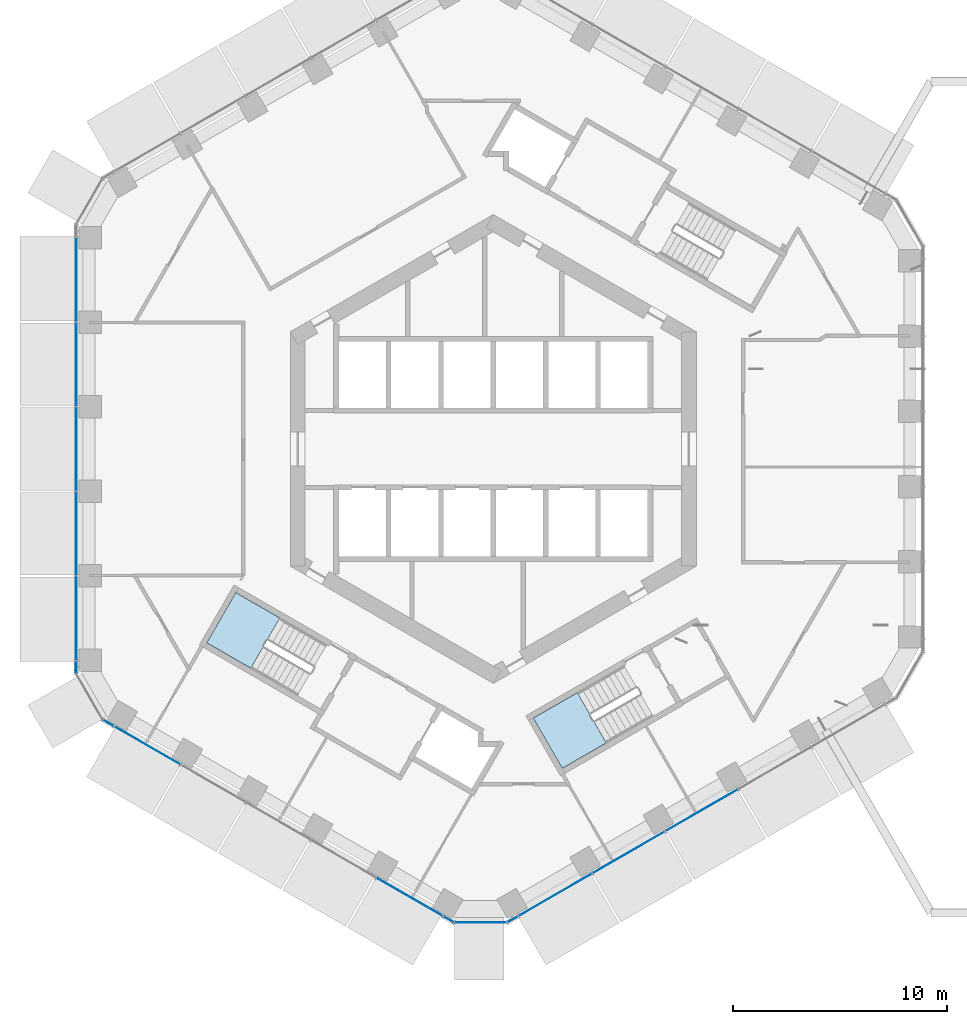
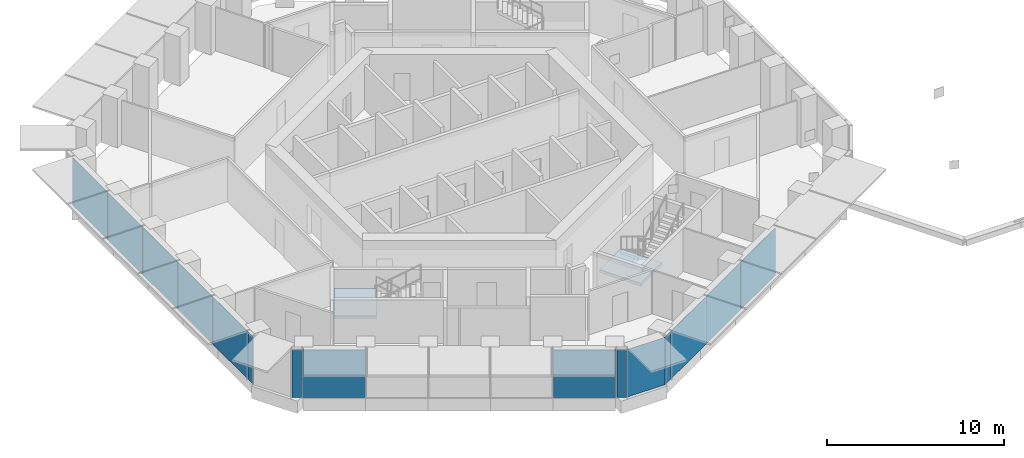
# One storey, part 9 of 21: 15 plates, 2 slabs, 7 elements without a shape of their own.
"""IFC4 building model written with IfcOpenShell, lengths in metres."""

import ifcopenshell
import ifcopenshell.guid

model = None  # the IFC model being written
_history = None  # IfcOwnerHistory: only IFC2X3 demands one
_inside = {}  # id of a spatial element -> (the spatial element, [elements in it])
_under = {}  # id of a project, library or spatial element -> (it, [spatial elements below it])
_declared = {}  # id of a project -> (the project, [libraries it declares])
_typed = {}  # id of a type object -> (the type object, [elements of that type])
_made_of = {}  # id of a material, layer set ... -> (it, [elements and type objects made of it])


def new_model(schema):
    """Start an empty IFC model of exactly this schema.

    Asked for "IFC4X3", IfcOpenShell would pick the latest addendum, in which some entities
    have other attributes; the version numbers below select the first issue.
    IFC2X3 requires an IfcOwnerHistory on every rooted entity: one is made here for all.
    """
    global model, _history
    if schema == "IFC4X3":
        model = ifcopenshell.file(schema_version=(4, 3, 0, 0))
    else:
        model = ifcopenshell.file(schema=schema)
    _inside.clear()
    _under.clear()
    _declared.clear()
    _typed.clear()
    _made_of.clear()
    _history = None
    if model.schema == "IFC2X3":
        org = make("IfcOrganization", Name="unknown")
        user = make(
            "IfcPersonAndOrganization",
            ThePerson=make("IfcPerson", FamilyName="unknown"),
            TheOrganization=org,
        )
        app = make(
            "IfcApplication",
            ApplicationDeveloper=org,
            Version="unknown",
            ApplicationFullName="unknown",
            ApplicationIdentifier="unknown",
        )
        _history = make(
            "IfcOwnerHistory",
            OwningUser=user,
            OwningApplication=app,
            ChangeAction="ADDED",
            CreationDate=0,
        )
    return model


def make(cls, **values):
    """One entity of the class cls with the attributes given. An attribute that is None is left unset."""
    return model.create_entity(
        cls, **{name: value for name, value in values.items() if value is not None}
    )


def rooted(cls, **values):
    """An entity with a GlobalId (a new one), such as an element, a storey or a relation."""
    return make(cls, GlobalId=ifcopenshell.guid.new(), OwnerHistory=_history, **values)


def si_unit(unit_type, name, prefix=None):
    """IfcSIUnit, for example si_unit("LENGTHUNIT", "METRE", prefix="MILLI")."""
    return make("IfcSIUnit", UnitType=unit_type, Prefix=prefix, Name=name)


def assignment(units):
    """IfcUnitAssignment: the units of a project."""
    return None if units is None else make("IfcUnitAssignment", Units=units)


def point(xyz):
    """IfcCartesianPoint."""
    return None if xyz is None else make("IfcCartesianPoint", Coordinates=xyz)


def direction(xyz):
    """IfcDirection."""
    return None if xyz is None else make("IfcDirection", DirectionRatios=xyz)


def frame(location, z_axis=None, x_axis=None):
    """IfcAxis2Placement3D, a coordinate frame: its origin and axes. An axis left out is left unset."""
    return make(
        "IfcAxis2Placement3D",
        Location=point(location),
        Axis=direction(z_axis),
        RefDirection=direction(x_axis),
    )


def frame_2d(location, x_axis=None):
    """IfcAxis2Placement2D, a coordinate frame in the plane: its origin and x axis."""
    return make(
        "IfcAxis2Placement2D", Location=point(location), RefDirection=direction(x_axis)
    )


def origin():
    """The frame at (0, 0, 0) with its axes left unset."""
    return frame((0.0, 0.0, 0.0))


def origin_2d():
    """The frame at (0, 0) in the plane with its x axis left unset."""
    return frame_2d((0.0, 0.0))


def place(relative_to, where):
    """IfcLocalPlacement: puts the frame where relative to a parent placement (None: the world)."""
    return make(
        "IfcLocalPlacement", PlacementRelTo=relative_to, RelativePlacement=where
    )


def context(
    kind, dimensions, precision=None, world=None, true_north=None, identifier=None
):
    """IfcGeometricRepresentationContext, for example the 3D "Model" context."""
    return make(
        "IfcGeometricRepresentationContext",
        ContextIdentifier=identifier,
        ContextType=kind,
        CoordinateSpaceDimension=dimensions,
        Precision=precision,
        WorldCoordinateSystem=world,
        TrueNorth=true_north,
    )


def subcontext(parent, identifier, kind, view, scale=None):
    """IfcGeometricRepresentationSubContext, for example "Body" below "Model"."""
    return make(
        "IfcGeometricRepresentationSubContext",
        ContextIdentifier=identifier,
        ContextType=kind,
        ParentContext=parent,
        TargetScale=scale,
        TargetView=view,
    )


def project(units=None, contexts=None):
    """IfcProject with its units and contexts."""
    return rooted(
        "IfcProject",
        Name="project",
        RepresentationContexts=contexts,
        UnitsInContext=assignment(units),
    )


def spatial(cls, under=None, at=None, **own):
    """A site, building, storey or space (cls), placed at a placement, below another one or the project."""
    s = rooted(cls, ObjectPlacement=at, **own)
    if under is not None:
        _under.setdefault(under.id(), (under, []))[1].append(s)
    return s


def polyline(points):
    """IfcPolyline through the points."""
    return make("IfcPolyline", Points=[point(p) for p in points])


def profile(cls, at=None, kind="AREA", **sizes):
    """A parametric profile (cls). Its sizes go by their IFC names, for example OverallWidth=200.0."""
    return make(cls, ProfileType=kind, Position=at, **sizes)


def rectangle(**sizes):
    """IfcRectangleProfileDef."""
    return profile("IfcRectangleProfileDef", **sizes)


def outline(outer, holes=None, kind="AREA"):
    """IfcArbitraryClosedProfileDef: a profile drawn as a closed curve; with holes, ...WithVoids."""
    if holes is None:
        return make("IfcArbitraryClosedProfileDef", ProfileType=kind, OuterCurve=outer)
    return make(
        "IfcArbitraryProfileDefWithVoids",
        ProfileType=kind,
        OuterCurve=outer,
        InnerCurves=holes,
    )


def extrude(swept, where, along, depth):
    """IfcExtrudedAreaSolid: the profile swept, set in the frame where, extruded along a direction by depth."""
    return make(
        "IfcExtrudedAreaSolid",
        SweptArea=swept,
        Position=where,
        ExtrudedDirection=direction(along),
        Depth=depth,
    )


def shape(context_of_items, identifier, shape_type, items):
    """IfcShapeRepresentation: the items that make up one representation, for example the "Body"."""
    return make(
        "IfcShapeRepresentation",
        ContextOfItems=context_of_items,
        RepresentationIdentifier=identifier,
        RepresentationType=shape_type,
        Items=items,
    )


def material(Name=None, Category=None):
    """IfcMaterial."""
    return make("IfcMaterial", Name=Name, Category=Category)


def layer(
    of_material, thickness, ventilated=None, Name=None, Category=None, Priority=None
):
    """IfcMaterialLayer: one layer of a wall or slab, of a material (None: an air gap)."""
    return make(
        "IfcMaterialLayer",
        Material=of_material,
        LayerThickness=thickness,
        IsVentilated=ventilated,
        Name=Name,
        Category=Category,
        Priority=Priority,
    )


def layer_set(layers, Name=None):
    """IfcMaterialLayerSet."""
    return make("IfcMaterialLayerSet", MaterialLayers=layers, LayerSetName=Name)


def made_of(thing, what):
    """Note that an element or type object is made of a material, layer set ...; save() writes the relation."""
    if what is not None:
        _made_of.setdefault(what.id(), (what, []))[1].append(thing)
    return thing


def type_object(cls, material=None, **own):
    """A type object (cls), such as IfcWallType, which elements share."""
    return made_of(rooted(cls, **own), material)


def element(
    cls,
    number,
    at=None,
    inside=None,
    cuts=None,
    type_object=None,
    material=None,
    context=None,
    identifier="Body",
    shape_type=None,
    held_by="IfcProductDefinitionShape",
    body=None,
    shapes=None,
    **own,
):
    """One element of the class cls, such as IfcWall. Its Tag is "e" and its number.

    at: its placement. inside: the storey or other place that contains it. cuts: it is an
    opening in that element (IfcRelVoidsElement). A single representation is given by context,
    identifier, shape_type and body (its items); several are given by shapes. held_by: the class
    of the entity that holds the representations. save() writes the other relations.
    """
    e = rooted(cls, Tag="e%d" % number, ObjectPlacement=at, **own)
    if body is not None:
        shapes = [shape(context, identifier, shape_type, body)]
    if shapes is not None:
        e.Representation = make(held_by, Representations=shapes)
    if inside is not None:
        _inside.setdefault(inside.id(), (inside, []))[1].append(e)
    if cuts is not None:
        rooted(
            "IfcRelVoidsElement", RelatingBuildingElement=cuts, RelatedOpeningElement=e
        )
    if type_object is not None:
        _typed.setdefault(type_object.id(), (type_object, []))[1].append(e)
    return made_of(e, material)


def aggregate(whole, parts):
    """IfcRelAggregates: a whole, such as a stair, and the parts it consists of."""
    return rooted("IfcRelAggregates", RelatingObject=whole, RelatedObjects=parts)


def save(model, path):
    """Write the relations noted so far, then the file.

    IfcRelAggregates (storeys below a building ...), IfcRelContainedInSpatialStructure (elements
    in a storey), IfcRelDefinesByType, IfcRelAssociatesMaterial and IfcRelDeclares: one each for
    every whole, place, type object, material and project.
    """
    for whole, parts in _under.values():
        aggregate(whole, parts)
    for where, things in _inside.values():
        rooted(
            "IfcRelContainedInSpatialStructure",
            RelatedElements=things,
            RelatingStructure=where,
        )
    for kind, things in _typed.values():
        rooted("IfcRelDefinesByType", RelatedObjects=things, RelatingType=kind)
    for what, things in _made_of.values():
        rooted("IfcRelAssociatesMaterial", RelatedObjects=things, RelatingMaterial=what)
    for by, libraries in _declared.values():
        rooted("IfcRelDeclares", RelatingContext=by, RelatedDefinitions=libraries)
    model.write(path)


model = new_model("IFC4")

# Units and contexts
model_context = context("Model", 3, precision=1e-05, world=origin(), true_north=direction((0.0, 1.0)))
body_context = subcontext(model_context, "Body", "Model", "MODEL_VIEW")
ifc_project = project(units=[si_unit("LENGTHUNIT", "METRE"), si_unit("AREAUNIT", "SQUARE_METRE"), si_unit("VOLUMEUNIT", "CUBIC_METRE"), si_unit("PLANEANGLEUNIT", "RADIAN"), si_unit("MASSUNIT", "GRAM", prefix="KILO")], contexts=[model_context])

# Site, building, storey
site_placement = place(None, origin())
site = spatial("IfcSite", under=ifc_project, at=site_placement, CompositionType="ELEMENT")
building_placement = place(site_placement, origin())
building = spatial("IfcBuilding", under=site, at=building_placement, Name="Ayvan Gate Tower", CompositionType="ELEMENT")
storey_placement = place(building_placement, frame((0.0, 0.0, 117.10009765625)))
storey = spatial("IfcBuildingStorey", under=building, at=storey_placement, Name="L31", CompositionType="ELEMENT", Elevation=117.10009765625)

# Stair, slab
ifc_material_1 = material(Name="Concrete C40/50", Category="concrete")
stair_type = type_object("IfcStairType", Name="ST-EXIT", PredefinedType="HALF_TURN_STAIR", material=ifc_material_1)
stair_1_placement = place(storey_placement, origin())
stair_1 = element("IfcStair", 1, at=stair_1_placement, inside=storey, type_object=stair_type, Name="L31 Exit Stair S2", PredefinedType="HALF_TURN_STAIR")
ifc_layer_1 = layer(ifc_material_1, 0.199951171875)
ifc_layer_set_1 = layer_set([ifc_layer_1], Name="Concrete C40/50")
slab_type = type_object("IfcSlabType", Name="SL-LANDING-200", PredefinedType="LANDING", material=ifc_layer_set_1)
slab_1_placement = place(storey_placement, frame((0.0, 0.0, 1.5)))
slab_1 = element("IfcSlab", 2, at=slab_1_placement, type_object=slab_type, Name="STS2 landing 1", PredefinedType="LANDING", context=body_context, shape_type="SweptSolid", body=[
    extrude(outline(polyline([(-9.988525390625, -7.91064453125), (-12.049560546875, -6.720458984375), (-13.404541015625, -9.0673828125), (-11.343505859375, -10.257568359375), (-9.988525390625, -7.91064453125)])), origin(), (0.0, 0.0, 1.0), 0.199951171875),
])
aggregate(stair_1, [slab_1])

stair_2_placement = place(storey_placement, origin())
stair_2 = element("IfcStair", 3, at=stair_2_placement, inside=storey, type_object=stair_type, Name="L31 Exit Stair S3", PredefinedType="HALF_TURN_STAIR")
slab_2_placement = place(storey_placement, frame((0.0, 0.0, 1.5)))
slab_2 = element("IfcSlab", 4, at=slab_2_placement, type_object=slab_type, Name="STS3 landing 1", PredefinedType="LANDING", context=body_context, shape_type="SweptSolid", body=[
    extrude(outline(polyline([(3.93505859375, -11.405517578125), (1.873779296875, -12.595458984375), (3.228759765625, -14.9423828125), (5.2900390625, -13.75244140625), (3.93505859375, -11.405517578125)])), origin(), (0.0, 0.0, 1.0), 0.199951171875),
])
aggregate(stair_2, [slab_2])

# Curtain wall, plates
ifc_material_2 = material(Name="Bronze anodised aluminium", Category="aluminium")
ifc_layer_2 = layer(ifc_material_2, 0.199951171875)
ifc_layer_set_2 = layer_set([ifc_layer_2], Name="Bronze anodised aluminium")
curtain_wall_type_1 = type_object("IfcCurtainWallType", Name="Stick curtain wall CW-1", PredefinedType="NOTDEFINED", material=ifc_layer_set_2)
curtain_wall_1_placement = place(storey_placement, origin())
curtain_wall_1 = element("IfcCurtainWall", 5, at=curtain_wall_1_placement, inside=storey, type_object=curtain_wall_type_1, Name="Stick curtain wall CW-1 L31", PredefinedType="NOTDEFINED")
ifc_material_3 = material(Name="Clear low-iron laminated glass", Category="glass")
ifc_layer_3 = layer(ifc_material_3, 0.028076171875)
ifc_layer_set_3 = layer_set([ifc_layer_3], Name="Clear low-iron laminated glass")
plate_type_1 = type_object("IfcPlateType", Name="Stick curtain wall CW-1 glass panel", PredefinedType="CURTAIN_PANEL", material=ifc_layer_set_3)
plate_1_placement = place(storey_placement, frame((-19.51708984375, 7.934814453125, 0.0), z_axis=(0.0, 0.0, 1.0), x_axis=(0.0, -1.0, 0.0)))
plate_1 = element("IfcPlate", 6, at=plate_1_placement, type_object=plate_type_1, Name="CW-1 glass panel 1", PredefinedType="CURTAIN_PANEL", context=body_context, shape_type="SweptSolid", body=[
    extrude(rectangle(XDim=3.9560546875, YDim=0.028076171875, at=origin_2d()), origin(), (0.0, 0.0, 1.0), 3.280029296875),
])
plate_2_placement = place(storey_placement, frame((-19.51708984375, 3.951416015625, 0.0), z_axis=(0.0, 0.0, 1.0), x_axis=(0.0, -1.0, 0.0)))
plate_2 = element("IfcPlate", 7, at=plate_2_placement, type_object=plate_type_1, Name="CW-1 glass panel 2", PredefinedType="CURTAIN_PANEL", context=body_context, shape_type="SweptSolid", body=[
    extrude(rectangle(XDim=3.89111328125, YDim=0.028076171875, at=origin_2d()), origin(), (0.0, 0.0, 1.0), 3.280029296875),
])
plate_3_placement = place(storey_placement, frame((-19.51708984375, 0.00048828125, 0.0), z_axis=(0.0, 0.0, 1.0), x_axis=(0.0, -1.0, 0.0)))
plate_3 = element("IfcPlate", 8, at=plate_3_placement, type_object=plate_type_1, Name="CW-1 glass panel 3", PredefinedType="CURTAIN_PANEL", context=body_context, shape_type="SweptSolid", body=[
    extrude(rectangle(XDim=3.89111328125, YDim=0.028076171875, at=origin_2d()), origin(), (0.0, 0.0, 1.0), 3.280029296875),
])
plate_4_placement = place(storey_placement, frame((-19.51708984375, -3.951171875, 0.0), z_axis=(0.0, 0.0, 1.0), x_axis=(0.0, -1.0, 0.0)))
plate_4 = element("IfcPlate", 9, at=plate_4_placement, type_object=plate_type_1, Name="CW-1 glass panel 4", PredefinedType="CURTAIN_PANEL", context=body_context, shape_type="SweptSolid", body=[
    extrude(rectangle(XDim=3.89208984375, YDim=0.028076171875, at=origin_2d()), origin(), (0.0, 0.0, 1.0), 3.280029296875),
])
plate_5_placement = place(storey_placement, frame((-19.51708984375, -7.93505859375, 0.0), z_axis=(0.0, 0.0, 1.0), x_axis=(0.0, -1.0, 0.0)))
plate_5 = element("IfcPlate", 10, at=plate_5_placement, type_object=plate_type_1, Name="CW-1 glass panel 5", PredefinedType="CURTAIN_PANEL", context=body_context, shape_type="SweptSolid", body=[
    extrude(rectangle(XDim=3.955810546875, YDim=0.028076171875, at=origin_2d()), origin(), (0.0, 0.0, 1.0), 3.280029296875),
])
aggregate(curtain_wall_1, [plate_1, plate_2, plate_3, plate_4, plate_5])

curtain_wall_2_placement = place(storey_placement, origin())
curtain_wall_2 = element("IfcCurtainWall", 11, at=curtain_wall_2_placement, inside=storey, type_object=curtain_wall_type_1, Name="Stick curtain wall CW-1 L31", PredefinedType="NOTDEFINED")
plate_6_placement = place(storey_placement, frame((-16.201416015625, -13.86767578125, 0.0), z_axis=(0.0, 0.0, 1.0), x_axis=(0.866025403784, -0.5, 0.0)))
plate_6 = element("IfcPlate", 12, at=plate_6_placement, type_object=plate_type_1, Name="CW-1 glass panel 1", PredefinedType="CURTAIN_PANEL", context=body_context, shape_type="SweptSolid", body=[
    extrude(rectangle(XDim=3.575927734375, YDim=0.028076171875, at=origin_2d()), origin(), (0.0, 0.0, 1.0), 3.280029296875),
])
plate_7_placement = place(storey_placement, frame((-3.9091796875, -20.96484375, 0.0), z_axis=(0.0, 0.0, 1.0), x_axis=(0.866025403784, -0.5, 0.0)))
plate_7 = element("IfcPlate", 13, at=plate_7_placement, type_object=plate_type_1, Name="CW-1 glass panel 5", PredefinedType="CURTAIN_PANEL", context=body_context, shape_type="SweptSolid", body=[
    extrude(rectangle(XDim=3.575927734375, YDim=0.028076171875, at=origin_2d()), origin(), (0.0, 0.0, 1.0), 3.280029296875),
])
aggregate(curtain_wall_2, [plate_6, plate_7])

curtain_wall_3_placement = place(storey_placement, origin())
curtain_wall_3 = element("IfcCurtainWall", 14, at=curtain_wall_3_placement, inside=storey, type_object=curtain_wall_type_1, Name="Stick curtain wall CW-1 L31", PredefinedType="NOTDEFINED")
plate_8_placement = place(storey_placement, frame((2.88671875, -20.86962890625, 0.0), z_axis=(0.0, 0.0, 1.0), x_axis=(0.866025403784, 0.5, 0.0)))
plate_8 = element("IfcPlate", 15, at=plate_8_placement, type_object=plate_type_1, Name="CW-1 glass panel 1", PredefinedType="CURTAIN_PANEL", context=body_context, shape_type="SweptSolid", body=[
    extrude(rectangle(XDim=3.9560546875, YDim=0.028076171875, at=origin_2d()), origin(), (0.0, 0.0, 1.0), 3.280029296875),
])
plate_9_placement = place(storey_placement, frame((6.336669921875, -18.8779296875, 0.0), z_axis=(0.0, 0.0, 1.0), x_axis=(0.866025403784, 0.5, 0.0)))
plate_9 = element("IfcPlate", 16, at=plate_9_placement, type_object=plate_type_1, Name="CW-1 glass panel 2", PredefinedType="CURTAIN_PANEL", context=body_context, shape_type="SweptSolid", body=[
    extrude(rectangle(XDim=3.89111328125, YDim=0.028076171875, at=origin_2d()), origin(), (0.0, 0.0, 1.0), 3.280029296875),
])
plate_10_placement = place(storey_placement, frame((9.75830078125, -16.902587890625, 0.0), z_axis=(0.0, 0.0, 1.0), x_axis=(0.866025403784, 0.5, 0.0)))
plate_10 = element("IfcPlate", 17, at=plate_10_placement, type_object=plate_type_1, Name="CW-1 glass panel 3", PredefinedType="CURTAIN_PANEL", context=body_context, shape_type="SweptSolid", body=[
    extrude(rectangle(XDim=3.89111328125, YDim=0.028076171875, at=origin_2d()), origin(), (0.0, 0.0, 1.0), 3.280029296875),
])
aggregate(curtain_wall_3, [plate_8, plate_9, plate_10])

ifc_layer_4 = layer(ifc_material_2, 0.199951171875)
ifc_layer_set_4 = layer_set([ifc_layer_4], Name="Bronze anodised aluminium")
curtain_wall_type_2 = type_object("IfcCurtainWallType", Name="Stick curtain wall CW-6", PredefinedType="NOTDEFINED", material=ifc_layer_set_4)
curtain_wall_4_placement = place(storey_placement, origin())
curtain_wall_4 = element("IfcCurtainWall", 18, at=curtain_wall_4_placement, inside=storey, type_object=curtain_wall_type_2, Name="Stick curtain wall CW-6 L31", PredefinedType="NOTDEFINED")
ifc_layer_5 = layer(ifc_material_3, 0.028076171875)
ifc_layer_set_5 = layer_set([ifc_layer_5], Name="Clear low-iron laminated glass")
plate_type_2 = type_object("IfcPlateType", Name="Stick curtain wall CW-6 glass panel", PredefinedType="CURTAIN_PANEL", material=ifc_layer_set_5)
plate_11_placement = place(storey_placement, frame((-19.51708984375, -10.2177734375, 0.0), z_axis=(0.0, 0.0, 1.0), x_axis=(0.0, -1.0, 0.0)))
plate_11 = element("IfcPlate", 19, at=plate_11_placement, type_object=plate_type_2, Name="CW-6 glass panel 1", PredefinedType="CURTAIN_PANEL", context=body_context, shape_type="SweptSolid", body=[
    extrude(rectangle(XDim=0.550048828125, YDim=0.028076171875, at=origin_2d()), origin(), (0.0, 0.0, 1.0), 3.280029296875),
])
plate_12_placement = place(storey_placement, frame((-18.013916015625, -12.8212890625, 0.0), z_axis=(0.0, 0.0, 1.0), x_axis=(0.866025403784, -0.5, 0.0)))
plate_12 = element("IfcPlate", 20, at=plate_12_placement, type_object=plate_type_2, Name="CW-6 glass panel 3", PredefinedType="CURTAIN_PANEL", context=body_context, shape_type="SweptSolid", body=[
    extrude(rectangle(XDim=0.550048828125, YDim=0.028076171875, at=origin_2d()), origin(), (0.0, 0.0, 1.0), 3.280029296875),
])
aggregate(curtain_wall_4, [plate_11, plate_12])

curtain_wall_5_placement = place(storey_placement, origin())
curtain_wall_5 = element("IfcCurtainWall", 21, at=curtain_wall_5_placement, inside=storey, type_object=curtain_wall_type_2, Name="Stick curtain wall CW-6 L31", PredefinedType="NOTDEFINED")
plate_13_placement = place(storey_placement, frame((-2.096435546875, -22.01123046875, 0.0), z_axis=(0.0, 0.0, 1.0), x_axis=(0.866025403784, -0.5, 0.0)))
plate_13 = element("IfcPlate", 22, at=plate_13_placement, type_object=plate_type_2, Name="CW-6 glass panel 1", PredefinedType="CURTAIN_PANEL", context=body_context, shape_type="SweptSolid", body=[
    extrude(rectangle(XDim=0.550048828125, YDim=0.028076171875, at=origin_2d()), origin(), (0.0, 0.0, 1.0), 3.280029296875),
])
plate_14_placement = place(storey_placement, frame((-0.593505859375, -22.1611328125, 0.0), z_axis=(0.0, 0.0, 1.0), x_axis=(1.0, 0.0, 0.0)))
plate_14 = element("IfcPlate", 23, at=plate_14_placement, type_object=plate_type_2, Name="CW-6 glass panel 2", PredefinedType="CURTAIN_PANEL", context=body_context, shape_type="SweptSolid", body=[
    extrude(rectangle(XDim=2.4365234375, YDim=0.028076171875, at=origin_2d()), origin(), (0.0, 0.0, 1.0), 3.280029296875),
])
plate_15_placement = place(storey_placement, frame((0.90966796875, -22.01123046875, 0.0), z_axis=(0.0, 0.0, 1.0), x_axis=(0.866025403784, 0.5, 0.0)))
plate_15 = element("IfcPlate", 24, at=plate_15_placement, type_object=plate_type_2, Name="CW-6 glass panel 3", PredefinedType="CURTAIN_PANEL", context=body_context, shape_type="SweptSolid", body=[
    extrude(rectangle(XDim=0.550048828125, YDim=0.028076171875, at=origin_2d()), origin(), (0.0, 0.0, 1.0), 3.280029296875),
])
aggregate(curtain_wall_5, [plate_13, plate_14, plate_15])

save(model, "model.ifc")
